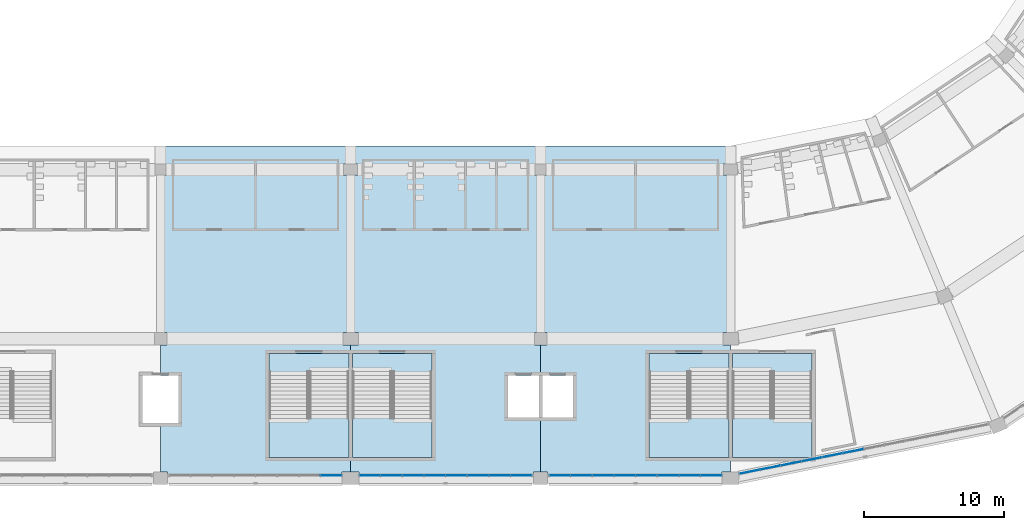
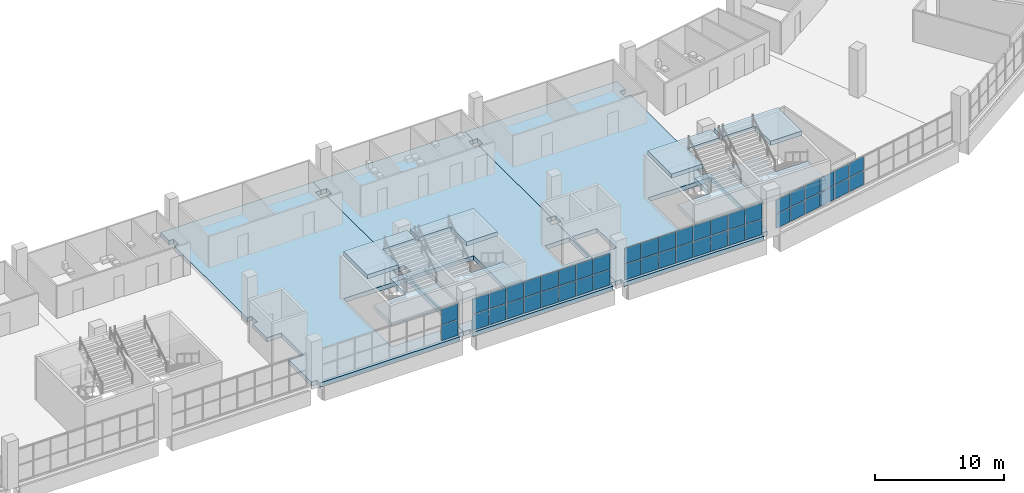
# One storey, part 59 of 199: 46 plates, 11 slabs, 8 elements without a shape of their own.
"""IFC4 building model written with IfcOpenShell, lengths in metres."""

from ifc_helpers import new_model, si_unit, direction, frame, origin, origin_2d, place, context, subcontext, project, spatial, polyline, rectangle, outline, extrude, material, layer, layer_set, type_object, element, aggregate, save


model = new_model("IFC4")

# Units and contexts
model_context = context("Model", 3, precision=1e-05, world=origin(), true_north=direction((0.0, 1.0)))
body_context = subcontext(model_context, "Body", "Model", "MODEL_VIEW")
ifc_project = project(units=[si_unit("LENGTHUNIT", "METRE"), si_unit("AREAUNIT", "SQUARE_METRE"), si_unit("VOLUMEUNIT", "CUBIC_METRE"), si_unit("PLANEANGLEUNIT", "RADIAN"), si_unit("MASSUNIT", "GRAM", prefix="KILO")], contexts=[model_context])

# Site, building, storey
site_placement = place(None, origin())
site = spatial("IfcSite", under=ifc_project, at=site_placement, CompositionType="ELEMENT")
building_placement = place(site_placement, origin())
building = spatial("IfcBuilding", under=site, at=building_placement, Name="Ogive Plaza Stadium", CompositionType="ELEMENT")
storey_placement = place(building_placement, frame((0.0, 0.0, 4.5)))
storey = spatial("IfcBuildingStorey", under=building, at=storey_placement, Name="L01", CompositionType="ELEMENT", Elevation=4.5)

# Curtain wall, plates
ifc_material_1 = material(Name="Bronze-anodised aluminium with laminated glass", Category="aluminium")
curtain_wall_type = type_object("IfcCurtainWallType", Name="Lancet curtain wall", PredefinedType="NOTDEFINED", material=ifc_material_1)
curtain_wall_1_placement = place(storey_placement, origin())
curtain_wall_1 = element("IfcCurtainWall", 1, at=curtain_wall_1_placement, inside=storey, type_object=curtain_wall_type, Name="CURTAIN WALL B11 L01", PredefinedType="NOTDEFINED")
ifc_material_2 = material(Name="Laminated glass", Category="glass")
ifc_layer_1 = layer(ifc_material_2, 0.028076171875)
ifc_layer_set_1 = layer_set([ifc_layer_1], Name="Laminated glass panel 28")
plate_type = type_object("IfcPlateType", Name="Laminated glass panel 28", PredefinedType="CURTAIN_PANEL", material=ifc_layer_set_1)
plate_1_placement = place(storey_placement, frame((42.78564453125, -100.548583984375, 0.0498046875), z_axis=(0.0, 0.0, 1.0), x_axis=(-0.980785280403, -0.195090322016, 0.0)))
plate_1 = element("IfcPlate", 2, at=plate_1_placement, type_object=plate_type, Name="CW-B11-L01 panel 7.1", PredefinedType="CURTAIN_PANEL", context=body_context, shape_type="SweptSolid", body=[
    extrude(rectangle(XDim=1.4638671875, YDim=0.028076171875, at=origin_2d()), origin(), (0.0, 0.0, 1.0), 1.320068359375),
])
plate_2_placement = place(storey_placement, frame((42.78564453125, -100.548583984375, 1.419921875), z_axis=(0.0, 0.0, 1.0), x_axis=(-0.980785280403, -0.195090322016, 0.0)))
plate_2 = element("IfcPlate", 3, at=plate_2_placement, type_object=plate_type, Name="CW-B11-L01 panel 7.2", PredefinedType="CURTAIN_PANEL", context=body_context, shape_type="SweptSolid", body=[
    extrude(rectangle(XDim=1.4638671875, YDim=0.028076171875, at=origin_2d()), origin(), (0.0, 0.0, 1.0), 1.320068359375),
])
plate_3_placement = place(storey_placement, frame((41.301025390625, -100.84375, 0.0498046875), z_axis=(0.0, 0.0, 1.0), x_axis=(-0.980785280403, -0.195090322016, 0.0)))
plate_3 = element("IfcPlate", 4, at=plate_3_placement, type_object=plate_type, Name="CW-B11-L01 panel 8.1", PredefinedType="CURTAIN_PANEL", context=body_context, shape_type="SweptSolid", body=[
    extrude(rectangle(XDim=1.4638671875, YDim=0.028076171875, at=origin_2d()), origin(), (0.0, 0.0, 1.0), 1.320068359375),
])
plate_4_placement = place(storey_placement, frame((41.301025390625, -100.84375, 1.419921875), z_axis=(0.0, 0.0, 1.0), x_axis=(-0.980785280403, -0.195090322016, 0.0)))
plate_4 = element("IfcPlate", 5, at=plate_4_placement, type_object=plate_type, Name="CW-B11-L01 panel 8.2", PredefinedType="CURTAIN_PANEL", context=body_context, shape_type="SweptSolid", body=[
    extrude(rectangle(XDim=1.4638671875, YDim=0.028076171875, at=origin_2d()), origin(), (0.0, 0.0, 1.0), 1.320068359375),
])
plate_5_placement = place(storey_placement, frame((39.816162109375, -101.13916015625, 0.0498046875), z_axis=(0.0, 0.0, 1.0), x_axis=(-0.980785280403, -0.195090322016, 0.0)))
plate_5 = element("IfcPlate", 6, at=plate_5_placement, type_object=plate_type, Name="CW-B11-L01 panel 9.1", PredefinedType="CURTAIN_PANEL", context=body_context, shape_type="SweptSolid", body=[
    extrude(rectangle(XDim=1.4638671875, YDim=0.028076171875, at=origin_2d()), origin(), (0.0, 0.0, 1.0), 1.320068359375),
])
plate_6_placement = place(storey_placement, frame((39.816162109375, -101.13916015625, 1.419921875), z_axis=(0.0, 0.0, 1.0), x_axis=(-0.980785280403, -0.195090322016, 0.0)))
plate_6 = element("IfcPlate", 7, at=plate_6_placement, type_object=plate_type, Name="CW-B11-L01 panel 9.2", PredefinedType="CURTAIN_PANEL", context=body_context, shape_type="SweptSolid", body=[
    extrude(rectangle(XDim=1.4638671875, YDim=0.028076171875, at=origin_2d()), origin(), (0.0, 0.0, 1.0), 1.320068359375),
])
plate_7_placement = place(storey_placement, frame((38.331298828125, -101.4345703125, 0.0498046875), z_axis=(0.0, 0.0, 1.0), x_axis=(-0.980785280403, -0.195090322016, 0.0)))
plate_7 = element("IfcPlate", 8, at=plate_7_placement, type_object=plate_type, Name="CW-B11-L01 panel 10.1", PredefinedType="CURTAIN_PANEL", context=body_context, shape_type="SweptSolid", body=[
    extrude(rectangle(XDim=1.4638671875, YDim=0.028076171875, at=origin_2d()), origin(), (0.0, 0.0, 1.0), 1.320068359375),
])
plate_8_placement = place(storey_placement, frame((38.331298828125, -101.4345703125, 1.419921875), z_axis=(0.0, 0.0, 1.0), x_axis=(-0.980785280403, -0.195090322016, 0.0)))
plate_8 = element("IfcPlate", 9, at=plate_8_placement, type_object=plate_type, Name="CW-B11-L01 panel 10.2", PredefinedType="CURTAIN_PANEL", context=body_context, shape_type="SweptSolid", body=[
    extrude(rectangle(XDim=1.4638671875, YDim=0.028076171875, at=origin_2d()), origin(), (0.0, 0.0, 1.0), 1.320068359375),
])
plate_9_placement = place(storey_placement, frame((36.8466796875, -101.729736328125, 0.0498046875), z_axis=(0.0, 0.0, 1.0), x_axis=(-0.980785280403, -0.195090322016, 0.0)))
plate_9 = element("IfcPlate", 10, at=plate_9_placement, type_object=plate_type, Name="CW-B11-L01 panel 11.1", PredefinedType="CURTAIN_PANEL", context=body_context, shape_type="SweptSolid", body=[
    extrude(rectangle(XDim=1.4638671875, YDim=0.028076171875, at=origin_2d()), origin(), (0.0, 0.0, 1.0), 1.320068359375),
])
plate_10_placement = place(storey_placement, frame((36.8466796875, -101.729736328125, 1.419921875), z_axis=(0.0, 0.0, 1.0), x_axis=(-0.980785280403, -0.195090322016, 0.0)))
plate_10 = element("IfcPlate", 11, at=plate_10_placement, type_object=plate_type, Name="CW-B11-L01 panel 11.2", PredefinedType="CURTAIN_PANEL", context=body_context, shape_type="SweptSolid", body=[
    extrude(rectangle(XDim=1.4638671875, YDim=0.028076171875, at=origin_2d()), origin(), (0.0, 0.0, 1.0), 1.320068359375),
])
plate_11_placement = place(storey_placement, frame((35.374267578125, -102.022705078125, 0.0498046875), z_axis=(0.0, 0.0, 1.0), x_axis=(-0.980785280403, -0.195090322016, 0.0)))
plate_11 = element("IfcPlate", 12, at=plate_11_placement, type_object=plate_type, Name="CW-B11-L01 panel 12.1", PredefinedType="CURTAIN_PANEL", context=body_context, shape_type="SweptSolid", body=[
    extrude(rectangle(XDim=1.43896484375, YDim=0.028076171875, at=origin_2d()), origin(), (0.0, 0.0, 1.0), 1.320068359375),
])
plate_12_placement = place(storey_placement, frame((35.374267578125, -102.022705078125, 1.419921875), z_axis=(0.0, 0.0, 1.0), x_axis=(-0.980785280403, -0.195090322016, 0.0)))
plate_12 = element("IfcPlate", 13, at=plate_12_placement, type_object=plate_type, Name="CW-B11-L01 panel 12.2", PredefinedType="CURTAIN_PANEL", context=body_context, shape_type="SweptSolid", body=[
    extrude(rectangle(XDim=1.43896484375, YDim=0.028076171875, at=origin_2d()), origin(), (0.0, 0.0, 1.0), 1.320068359375),
])
aggregate(curtain_wall_1, [plate_1, plate_2, plate_3, plate_4, plate_5, plate_6, plate_7, plate_8, plate_9, plate_10, plate_11, plate_12])

curtain_wall_2_placement = place(storey_placement, origin())
curtain_wall_2 = element("IfcCurtainWall", 14, at=curtain_wall_2_placement, inside=storey, type_object=curtain_wall_type, Name="CURTAIN WALL B12 L01", PredefinedType="NOTDEFINED")
plate_13_placement = place(storey_placement, frame((32.612548828125, -102.300048828125, 0.0498046875), z_axis=(0.0, 0.0, 1.0), x_axis=(-1.0, 0.0, 0.0)))
plate_13 = element("IfcPlate", 15, at=plate_13_placement, type_object=plate_type, Name="CW-B12-L01 panel 1.1", PredefinedType="CURTAIN_PANEL", context=body_context, shape_type="SweptSolid", body=[
    extrude(rectangle(XDim=1.47509765625, YDim=0.028076171875, at=origin_2d()), origin(), (0.0, 0.0, 1.0), 1.469970703125),
])
plate_14_placement = place(storey_placement, frame((32.612548828125, -102.300048828125, 1.56982421875), z_axis=(0.0, 0.0, 1.0), x_axis=(-1.0, 0.0, 0.0)))
plate_14 = element("IfcPlate", 16, at=plate_14_placement, type_object=plate_type, Name="CW-B12-L01 panel 1.2", PredefinedType="CURTAIN_PANEL", context=body_context, shape_type="SweptSolid", body=[
    extrude(rectangle(XDim=1.47509765625, YDim=0.028076171875, at=origin_2d()), origin(), (0.0, 0.0, 1.0), 1.469970703125),
])
plate_15_placement = place(storey_placement, frame((31.074951171875, -102.300048828125, 0.0498046875), z_axis=(0.0, 0.0, 1.0), x_axis=(-1.0, 0.0, 0.0)))
plate_15 = element("IfcPlate", 17, at=plate_15_placement, type_object=plate_type, Name="CW-B12-L01 panel 2.1", PredefinedType="CURTAIN_PANEL", context=body_context, shape_type="SweptSolid", body=[
    extrude(rectangle(XDim=1.5, YDim=0.028076171875, at=origin_2d()), origin(), (0.0, 0.0, 1.0), 1.469970703125),
])
plate_16_placement = place(storey_placement, frame((31.074951171875, -102.300048828125, 1.56982421875), z_axis=(0.0, 0.0, 1.0), x_axis=(-1.0, 0.0, 0.0)))
plate_16 = element("IfcPlate", 18, at=plate_16_placement, type_object=plate_type, Name="CW-B12-L01 panel 2.2", PredefinedType="CURTAIN_PANEL", context=body_context, shape_type="SweptSolid", body=[
    extrude(rectangle(XDim=1.5, YDim=0.028076171875, at=origin_2d()), origin(), (0.0, 0.0, 1.0), 1.469970703125),
])
plate_17_placement = place(storey_placement, frame((29.52490234375, -102.300048828125, 0.0498046875), z_axis=(0.0, 0.0, 1.0), x_axis=(-1.0, 0.0, 0.0)))
plate_17 = element("IfcPlate", 19, at=plate_17_placement, type_object=plate_type, Name="CW-B12-L01 panel 3.1", PredefinedType="CURTAIN_PANEL", context=body_context, shape_type="SweptSolid", body=[
    extrude(rectangle(XDim=1.5, YDim=0.028076171875, at=origin_2d()), origin(), (0.0, 0.0, 1.0), 1.469970703125),
])
plate_18_placement = place(storey_placement, frame((29.52490234375, -102.300048828125, 1.56982421875), z_axis=(0.0, 0.0, 1.0), x_axis=(-1.0, 0.0, 0.0)))
plate_18 = element("IfcPlate", 20, at=plate_18_placement, type_object=plate_type, Name="CW-B12-L01 panel 3.2", PredefinedType="CURTAIN_PANEL", context=body_context, shape_type="SweptSolid", body=[
    extrude(rectangle(XDim=1.5, YDim=0.028076171875, at=origin_2d()), origin(), (0.0, 0.0, 1.0), 1.469970703125),
])
plate_19_placement = place(storey_placement, frame((27.97509765625, -102.300048828125, 0.0498046875), z_axis=(0.0, 0.0, 1.0), x_axis=(-1.0, 0.0, 0.0)))
plate_19 = element("IfcPlate", 21, at=plate_19_placement, type_object=plate_type, Name="CW-B12-L01 panel 4.1", PredefinedType="CURTAIN_PANEL", context=body_context, shape_type="SweptSolid", body=[
    extrude(rectangle(XDim=1.5, YDim=0.028076171875, at=origin_2d()), origin(), (0.0, 0.0, 1.0), 1.469970703125),
])
plate_20_placement = place(storey_placement, frame((27.97509765625, -102.300048828125, 1.56982421875), z_axis=(0.0, 0.0, 1.0), x_axis=(-1.0, 0.0, 0.0)))
plate_20 = element("IfcPlate", 22, at=plate_20_placement, type_object=plate_type, Name="CW-B12-L01 panel 4.2", PredefinedType="CURTAIN_PANEL", context=body_context, shape_type="SweptSolid", body=[
    extrude(rectangle(XDim=1.5, YDim=0.028076171875, at=origin_2d()), origin(), (0.0, 0.0, 1.0), 1.469970703125),
])
plate_21_placement = place(storey_placement, frame((26.425048828125, -102.300048828125, 0.0498046875), z_axis=(0.0, 0.0, 1.0), x_axis=(-1.0, 0.0, 0.0)))
plate_21 = element("IfcPlate", 23, at=plate_21_placement, type_object=plate_type, Name="CW-B12-L01 panel 5.1", PredefinedType="CURTAIN_PANEL", context=body_context, shape_type="SweptSolid", body=[
    extrude(rectangle(XDim=1.5, YDim=0.028076171875, at=origin_2d()), origin(), (0.0, 0.0, 1.0), 1.469970703125),
])
plate_22_placement = place(storey_placement, frame((26.425048828125, -102.300048828125, 1.56982421875), z_axis=(0.0, 0.0, 1.0), x_axis=(-1.0, 0.0, 0.0)))
plate_22 = element("IfcPlate", 24, at=plate_22_placement, type_object=plate_type, Name="CW-B12-L01 panel 5.2", PredefinedType="CURTAIN_PANEL", context=body_context, shape_type="SweptSolid", body=[
    extrude(rectangle(XDim=1.5, YDim=0.028076171875, at=origin_2d()), origin(), (0.0, 0.0, 1.0), 1.469970703125),
])
plate_23_placement = place(storey_placement, frame((24.875, -102.300048828125, 0.0498046875), z_axis=(0.0, 0.0, 1.0), x_axis=(-1.0, 0.0, 0.0)))
plate_23 = element("IfcPlate", 25, at=plate_23_placement, type_object=plate_type, Name="CW-B12-L01 panel 6.1", PredefinedType="CURTAIN_PANEL", context=body_context, shape_type="SweptSolid", body=[
    extrude(rectangle(XDim=1.5, YDim=0.028076171875, at=origin_2d()), origin(), (0.0, 0.0, 1.0), 1.469970703125),
])
plate_24_placement = place(storey_placement, frame((24.875, -102.300048828125, 1.56982421875), z_axis=(0.0, 0.0, 1.0), x_axis=(-1.0, 0.0, 0.0)))
plate_24 = element("IfcPlate", 26, at=plate_24_placement, type_object=plate_type, Name="CW-B12-L01 panel 6.2", PredefinedType="CURTAIN_PANEL", context=body_context, shape_type="SweptSolid", body=[
    extrude(rectangle(XDim=1.5, YDim=0.028076171875, at=origin_2d()), origin(), (0.0, 0.0, 1.0), 1.469970703125),
])
plate_25_placement = place(storey_placement, frame((23.324951171875, -102.300048828125, 0.0498046875), z_axis=(0.0, 0.0, 1.0), x_axis=(-1.0, 0.0, 0.0)))
plate_25 = element("IfcPlate", 27, at=plate_25_placement, type_object=plate_type, Name="CW-B12-L01 panel 7.1", PredefinedType="CURTAIN_PANEL", context=body_context, shape_type="SweptSolid", body=[
    extrude(rectangle(XDim=1.5, YDim=0.028076171875, at=origin_2d()), origin(), (0.0, 0.0, 1.0), 1.469970703125),
])
plate_26_placement = place(storey_placement, frame((23.324951171875, -102.300048828125, 1.56982421875), z_axis=(0.0, 0.0, 1.0), x_axis=(-1.0, 0.0, 0.0)))
plate_26 = element("IfcPlate", 28, at=plate_26_placement, type_object=plate_type, Name="CW-B12-L01 panel 7.2", PredefinedType="CURTAIN_PANEL", context=body_context, shape_type="SweptSolid", body=[
    extrude(rectangle(XDim=1.5, YDim=0.028076171875, at=origin_2d()), origin(), (0.0, 0.0, 1.0), 1.469970703125),
])
plate_27_placement = place(storey_placement, frame((21.78759765625, -102.300048828125, 0.0498046875), z_axis=(0.0, 0.0, 1.0), x_axis=(-1.0, 0.0, 0.0)))
plate_27 = element("IfcPlate", 29, at=plate_27_placement, type_object=plate_type, Name="CW-B12-L01 panel 8.1", PredefinedType="CURTAIN_PANEL", context=body_context, shape_type="SweptSolid", body=[
    extrude(rectangle(XDim=1.47509765625, YDim=0.028076171875, at=origin_2d()), origin(), (0.0, 0.0, 1.0), 1.469970703125),
])
plate_28_placement = place(storey_placement, frame((21.78759765625, -102.300048828125, 1.56982421875), z_axis=(0.0, 0.0, 1.0), x_axis=(-1.0, 0.0, 0.0)))
plate_28 = element("IfcPlate", 30, at=plate_28_placement, type_object=plate_type, Name="CW-B12-L01 panel 8.2", PredefinedType="CURTAIN_PANEL", context=body_context, shape_type="SweptSolid", body=[
    extrude(rectangle(XDim=1.47509765625, YDim=0.028076171875, at=origin_2d()), origin(), (0.0, 0.0, 1.0), 1.469970703125),
])
aggregate(curtain_wall_2, [plate_13, plate_14, plate_15, plate_16, plate_17, plate_18, plate_19, plate_20, plate_21, plate_22, plate_23, plate_24, plate_25, plate_26, plate_27, plate_28])

curtain_wall_3_placement = place(storey_placement, origin())
curtain_wall_3 = element("IfcCurtainWall", 31, at=curtain_wall_3_placement, inside=storey, type_object=curtain_wall_type, Name="CURTAIN WALL B13 L01", PredefinedType="NOTDEFINED")
plate_29_placement = place(storey_placement, frame((19.012451171875, -102.300048828125, 0.0498046875), z_axis=(0.0, 0.0, 1.0), x_axis=(-1.0, 0.0, 0.0)))
plate_29 = element("IfcPlate", 32, at=plate_29_placement, type_object=plate_type, Name="CW-B13-L01 panel 1.1", PredefinedType="CURTAIN_PANEL", context=body_context, shape_type="SweptSolid", body=[
    extrude(rectangle(XDim=1.47509765625, YDim=0.028076171875, at=origin_2d()), origin(), (0.0, 0.0, 1.0), 1.469970703125),
])
plate_30_placement = place(storey_placement, frame((19.012451171875, -102.300048828125, 1.56982421875), z_axis=(0.0, 0.0, 1.0), x_axis=(-1.0, 0.0, 0.0)))
plate_30 = element("IfcPlate", 33, at=plate_30_placement, type_object=plate_type, Name="CW-B13-L01 panel 1.2", PredefinedType="CURTAIN_PANEL", context=body_context, shape_type="SweptSolid", body=[
    extrude(rectangle(XDim=1.47509765625, YDim=0.028076171875, at=origin_2d()), origin(), (0.0, 0.0, 1.0), 1.469970703125),
])
plate_31_placement = place(storey_placement, frame((17.47509765625, -102.300048828125, 0.0498046875), z_axis=(0.0, 0.0, 1.0), x_axis=(-1.0, 0.0, 0.0)))
plate_31 = element("IfcPlate", 34, at=plate_31_placement, type_object=plate_type, Name="CW-B13-L01 panel 2.1", PredefinedType="CURTAIN_PANEL", context=body_context, shape_type="SweptSolid", body=[
    extrude(rectangle(XDim=1.5, YDim=0.028076171875, at=origin_2d()), origin(), (0.0, 0.0, 1.0), 1.469970703125),
])
plate_32_placement = place(storey_placement, frame((17.47509765625, -102.300048828125, 1.56982421875), z_axis=(0.0, 0.0, 1.0), x_axis=(-1.0, 0.0, 0.0)))
plate_32 = element("IfcPlate", 35, at=plate_32_placement, type_object=plate_type, Name="CW-B13-L01 panel 2.2", PredefinedType="CURTAIN_PANEL", context=body_context, shape_type="SweptSolid", body=[
    extrude(rectangle(XDim=1.5, YDim=0.028076171875, at=origin_2d()), origin(), (0.0, 0.0, 1.0), 1.469970703125),
])
plate_33_placement = place(storey_placement, frame((15.925048828125, -102.300048828125, 0.0498046875), z_axis=(0.0, 0.0, 1.0), x_axis=(-1.0, 0.0, 0.0)))
plate_33 = element("IfcPlate", 36, at=plate_33_placement, type_object=plate_type, Name="CW-B13-L01 panel 3.1", PredefinedType="CURTAIN_PANEL", context=body_context, shape_type="SweptSolid", body=[
    extrude(rectangle(XDim=1.5, YDim=0.028076171875, at=origin_2d()), origin(), (0.0, 0.0, 1.0), 1.469970703125),
])
plate_34_placement = place(storey_placement, frame((15.925048828125, -102.300048828125, 1.56982421875), z_axis=(0.0, 0.0, 1.0), x_axis=(-1.0, 0.0, 0.0)))
plate_34 = element("IfcPlate", 37, at=plate_34_placement, type_object=plate_type, Name="CW-B13-L01 panel 3.2", PredefinedType="CURTAIN_PANEL", context=body_context, shape_type="SweptSolid", body=[
    extrude(rectangle(XDim=1.5, YDim=0.028076171875, at=origin_2d()), origin(), (0.0, 0.0, 1.0), 1.469970703125),
])
plate_35_placement = place(storey_placement, frame((14.375, -102.300048828125, 0.0498046875), z_axis=(0.0, 0.0, 1.0), x_axis=(-1.0, 0.0, 0.0)))
plate_35 = element("IfcPlate", 38, at=plate_35_placement, type_object=plate_type, Name="CW-B13-L01 panel 4.1", PredefinedType="CURTAIN_PANEL", context=body_context, shape_type="SweptSolid", body=[
    extrude(rectangle(XDim=1.5, YDim=0.028076171875, at=origin_2d()), origin(), (0.0, 0.0, 1.0), 1.469970703125),
])
plate_36_placement = place(storey_placement, frame((14.375, -102.300048828125, 1.56982421875), z_axis=(0.0, 0.0, 1.0), x_axis=(-1.0, 0.0, 0.0)))
plate_36 = element("IfcPlate", 39, at=plate_36_placement, type_object=plate_type, Name="CW-B13-L01 panel 4.2", PredefinedType="CURTAIN_PANEL", context=body_context, shape_type="SweptSolid", body=[
    extrude(rectangle(XDim=1.5, YDim=0.028076171875, at=origin_2d()), origin(), (0.0, 0.0, 1.0), 1.469970703125),
])
plate_37_placement = place(storey_placement, frame((12.824951171875, -102.300048828125, 0.0498046875), z_axis=(0.0, 0.0, 1.0), x_axis=(-1.0, 0.0, 0.0)))
plate_37 = element("IfcPlate", 40, at=plate_37_placement, type_object=plate_type, Name="CW-B13-L01 panel 5.1", PredefinedType="CURTAIN_PANEL", context=body_context, shape_type="SweptSolid", body=[
    extrude(rectangle(XDim=1.5, YDim=0.028076171875, at=origin_2d()), origin(), (0.0, 0.0, 1.0), 1.469970703125),
])
plate_38_placement = place(storey_placement, frame((12.824951171875, -102.300048828125, 1.56982421875), z_axis=(0.0, 0.0, 1.0), x_axis=(-1.0, 0.0, 0.0)))
plate_38 = element("IfcPlate", 41, at=plate_38_placement, type_object=plate_type, Name="CW-B13-L01 panel 5.2", PredefinedType="CURTAIN_PANEL", context=body_context, shape_type="SweptSolid", body=[
    extrude(rectangle(XDim=1.5, YDim=0.028076171875, at=origin_2d()), origin(), (0.0, 0.0, 1.0), 1.469970703125),
])
plate_39_placement = place(storey_placement, frame((11.27490234375, -102.300048828125, 0.0498046875), z_axis=(0.0, 0.0, 1.0), x_axis=(-1.0, 0.0, 0.0)))
plate_39 = element("IfcPlate", 42, at=plate_39_placement, type_object=plate_type, Name="CW-B13-L01 panel 6.1", PredefinedType="CURTAIN_PANEL", context=body_context, shape_type="SweptSolid", body=[
    extrude(rectangle(XDim=1.5, YDim=0.028076171875, at=origin_2d()), origin(), (0.0, 0.0, 1.0), 1.469970703125),
])
plate_40_placement = place(storey_placement, frame((11.27490234375, -102.300048828125, 1.56982421875), z_axis=(0.0, 0.0, 1.0), x_axis=(-1.0, 0.0, 0.0)))
plate_40 = element("IfcPlate", 43, at=plate_40_placement, type_object=plate_type, Name="CW-B13-L01 panel 6.2", PredefinedType="CURTAIN_PANEL", context=body_context, shape_type="SweptSolid", body=[
    extrude(rectangle(XDim=1.5, YDim=0.028076171875, at=origin_2d()), origin(), (0.0, 0.0, 1.0), 1.469970703125),
])
plate_41_placement = place(storey_placement, frame((9.72509765625, -102.300048828125, 0.0498046875), z_axis=(0.0, 0.0, 1.0), x_axis=(-1.0, 0.0, 0.0)))
plate_41 = element("IfcPlate", 44, at=plate_41_placement, type_object=plate_type, Name="CW-B13-L01 panel 7.1", PredefinedType="CURTAIN_PANEL", context=body_context, shape_type="SweptSolid", body=[
    extrude(rectangle(XDim=1.5, YDim=0.028076171875, at=origin_2d()), origin(), (0.0, 0.0, 1.0), 1.469970703125),
])
plate_42_placement = place(storey_placement, frame((9.72509765625, -102.300048828125, 1.56982421875), z_axis=(0.0, 0.0, 1.0), x_axis=(-1.0, 0.0, 0.0)))
plate_42 = element("IfcPlate", 45, at=plate_42_placement, type_object=plate_type, Name="CW-B13-L01 panel 7.2", PredefinedType="CURTAIN_PANEL", context=body_context, shape_type="SweptSolid", body=[
    extrude(rectangle(XDim=1.5, YDim=0.028076171875, at=origin_2d()), origin(), (0.0, 0.0, 1.0), 1.469970703125),
])
plate_43_placement = place(storey_placement, frame((8.1875, -102.300048828125, 0.0498046875), z_axis=(0.0, 0.0, 1.0), x_axis=(-1.0, 0.0, 0.0)))
plate_43 = element("IfcPlate", 46, at=plate_43_placement, type_object=plate_type, Name="CW-B13-L01 panel 8.1", PredefinedType="CURTAIN_PANEL", context=body_context, shape_type="SweptSolid", body=[
    extrude(rectangle(XDim=1.47509765625, YDim=0.028076171875, at=origin_2d()), origin(), (0.0, 0.0, 1.0), 1.469970703125),
])
plate_44_placement = place(storey_placement, frame((8.1875, -102.300048828125, 1.56982421875), z_axis=(0.0, 0.0, 1.0), x_axis=(-1.0, 0.0, 0.0)))
plate_44 = element("IfcPlate", 47, at=plate_44_placement, type_object=plate_type, Name="CW-B13-L01 panel 8.2", PredefinedType="CURTAIN_PANEL", context=body_context, shape_type="SweptSolid", body=[
    extrude(rectangle(XDim=1.47509765625, YDim=0.028076171875, at=origin_2d()), origin(), (0.0, 0.0, 1.0), 1.469970703125),
])
aggregate(curtain_wall_3, [plate_29, plate_30, plate_31, plate_32, plate_33, plate_34, plate_35, plate_36, plate_37, plate_38, plate_39, plate_40, plate_41, plate_42, plate_43, plate_44])

curtain_wall_4_placement = place(storey_placement, origin())
curtain_wall_4 = element("IfcCurtainWall", 48, at=curtain_wall_4_placement, inside=storey, type_object=curtain_wall_type, Name="CURTAIN WALL B14 L01", PredefinedType="NOTDEFINED")
plate_45_placement = place(storey_placement, frame((5.41259765625, -102.300048828125, 0.0498046875), z_axis=(0.0, 0.0, 1.0), x_axis=(-1.0, 0.0, 0.0)))
plate_45 = element("IfcPlate", 49, at=plate_45_placement, type_object=plate_type, Name="CW-B14-L01 panel 1.1", PredefinedType="CURTAIN_PANEL", context=body_context, shape_type="SweptSolid", body=[
    extrude(rectangle(XDim=1.47509765625, YDim=0.028076171875, at=origin_2d()), origin(), (0.0, 0.0, 1.0), 1.469970703125),
])
plate_46_placement = place(storey_placement, frame((5.41259765625, -102.300048828125, 1.56982421875), z_axis=(0.0, 0.0, 1.0), x_axis=(-1.0, 0.0, 0.0)))
plate_46 = element("IfcPlate", 50, at=plate_46_placement, type_object=plate_type, Name="CW-B14-L01 panel 1.2", PredefinedType="CURTAIN_PANEL", context=body_context, shape_type="SweptSolid", body=[
    extrude(rectangle(XDim=1.47509765625, YDim=0.028076171875, at=origin_2d()), origin(), (0.0, 0.0, 1.0), 1.469970703125),
])
aggregate(curtain_wall_4, [plate_45, plate_46])

# Slabs
ifc_material_3 = material(Name="Concrete C40/50", Category="concrete")
ifc_layer_2 = layer(ifc_material_3, 0.409912109375)
ifc_layer_set_2 = layer_set([ifc_layer_2], Name="Concrete C40/50")
slab_type_1 = type_object("IfcSlabType", Name="RC floor slab 410", PredefinedType="FLOOR", material=ifc_layer_set_2)
slab_1_placement = place(storey_placement, frame((0.0, 0.0, -0.409912109375)))
element("IfcSlab", 51, at=slab_1_placement, inside=storey, type_object=slab_type_1, Name="Floor slab L01 B12", PredefinedType="FLOOR", context=body_context, shape_type="SweptSolid", body=[
    extrude(outline(polyline([(20.39990234375, -80.0), (20.800048828125, -80.0), (20.800048828125, -80.800048828125), (20.39990234375, -80.800048828125), (20.39990234375, -92.050048828125), (20.85009765625, -92.050048828125), (20.85009765625, -92.949951171875), (20.39990234375, -92.949951171875), (20.39990234375, -102.050048828125), (20.89990234375, -102.050048828125), (20.89990234375, -102.5), (33.39990234375, -102.5), (33.39990234375, -102.050048828125), (34.0, -102.050048828125), (34.0, -92.949951171875), (33.449951171875, -92.949951171875), (33.449951171875, -92.050048828125), (34.0, -92.050048828125), (34.0, -80.800048828125), (33.5, -80.800048828125), (33.5, -80.0), (34.0, -80.0), (34.0, -78.699951171875), (20.39990234375, -78.699951171875), (20.39990234375, -80.0)]), holes=[polyline([(33.875, -93.550048828125), (28.175048828125, -93.550048828125), (28.175048828125, -101.010009765625), (33.875, -101.010009765625), (33.875, -93.550048828125)]), polyline([(22.72509765625, -95.14990234375), (20.52490234375, -95.14990234375), (20.52490234375, -98.14990234375), (22.72509765625, -98.14990234375), (22.72509765625, -95.14990234375)])]), origin(), (0.0, 0.0, 1.0), 0.409912109375),
])
slab_2_placement = place(storey_placement, frame((0.0, 0.0, -0.409912109375)))
element("IfcSlab", 52, at=slab_2_placement, inside=storey, type_object=slab_type_1, Name="Floor slab L01 B13", PredefinedType="FLOOR", context=body_context, shape_type="SweptSolid", body=[
    extrude(outline(polyline([(6.800048828125, -80.0), (7.300048828125, -80.0), (7.300048828125, -80.800048828125), (6.800048828125, -80.800048828125), (6.800048828125, -92.050048828125), (7.35009765625, -92.050048828125), (7.35009765625, -92.949951171875), (6.800048828125, -92.949951171875), (6.800048828125, -102.050048828125), (7.39990234375, -102.050048828125), (7.39990234375, -102.5), (19.89990234375, -102.5), (19.89990234375, -102.050048828125), (20.39990234375, -102.050048828125), (20.39990234375, -92.949951171875), (19.949951171875, -92.949951171875), (19.949951171875, -92.050048828125), (20.39990234375, -92.050048828125), (20.39990234375, -80.800048828125), (20.0, -80.800048828125), (20.0, -80.0), (20.39990234375, -80.0), (20.39990234375, -78.699951171875), (6.800048828125, -78.699951171875), (6.800048828125, -80.0)]), holes=[polyline([(12.625, -93.550048828125), (6.925048828125, -93.550048828125), (6.925048828125, -101.010009765625), (12.625, -101.010009765625), (12.625, -93.550048828125)]), polyline([(20.27490234375, -95.14990234375), (18.074951171875, -95.14990234375), (18.074951171875, -98.14990234375), (20.27490234375, -98.14990234375), (20.27490234375, -95.14990234375)])]), origin(), (0.0, 0.0, 1.0), 0.409912109375),
])
slab_3_placement = place(storey_placement, frame((0.0, 0.0, -0.409912109375)))
element("IfcSlab", 53, at=slab_3_placement, inside=storey, type_object=slab_type_1, Name="Floor slab L01 B14", PredefinedType="FLOOR", context=body_context, shape_type="SweptSolid", body=[
    extrude(outline(polyline([(-6.800048828125, -80.0), (-6.39990234375, -80.0), (-6.39990234375, -80.800048828125), (-6.800048828125, -80.800048828125), (-6.800048828125, -92.050048828125), (-6.35009765625, -92.050048828125), (-6.35009765625, -92.949951171875), (-6.800048828125, -92.949951171875), (-6.800048828125, -95.14990234375), (-5.5, -95.14990234375), (-5.5, -98.550048828125), (-6.800048828125, -98.550048828125), (-6.800048828125, -102.050048828125), (-6.300048828125, -102.050048828125), (-6.300048828125, -102.5), (6.199951171875, -102.5), (6.199951171875, -102.050048828125), (6.800048828125, -102.050048828125), (6.800048828125, -92.949951171875), (6.25, -92.949951171875), (6.25, -92.050048828125), (6.800048828125, -92.050048828125), (6.800048828125, -80.800048828125), (6.300048828125, -80.800048828125), (6.300048828125, -80.0), (6.800048828125, -80.0), (6.800048828125, -78.699951171875), (-6.800048828125, -78.699951171875), (-6.800048828125, -80.0)]), holes=[polyline([(6.675048828125, -93.550048828125), (0.97509765625, -93.550048828125), (0.97509765625, -101.010009765625), (6.675048828125, -101.010009765625), (6.675048828125, -93.550048828125)])]), origin(), (0.0, 0.0, 1.0), 0.409912109375),
])

# Stair, slabs
ifc_material_4 = material(Name="Concrete C40/50", Category="concrete")
stair_type = type_object("IfcStairType", Name="Exit stair", PredefinedType="STRAIGHT_RUN_STAIR", material=ifc_material_4)
stair_1_placement = place(storey_placement, origin())
stair_1 = element("IfcStair", 54, at=stair_1_placement, inside=storey, type_object=stair_type, Name="Exit stair ST12A L01 to L02", PredefinedType="STRAIGHT_RUN_STAIR")
ifc_material_5 = material(Name="Concrete C40/50", Category="concrete")
ifc_layer_3 = layer(ifc_material_5, 0.39990234375)
ifc_layer_set_3 = layer_set([ifc_layer_3], Name="Concrete C40/50")
slab_type_2 = type_object("IfcSlabType", Name="Stair landing", PredefinedType="LANDING", material=ifc_layer_set_3)
slab_4_placement = place(storey_placement, frame((0.0, 0.0, 1.85009765625)))
slab_4 = element("IfcSlab", 55, at=slab_4_placement, type_object=slab_type_2, Name="ST12A landing 1", PredefinedType="LANDING", context=body_context, shape_type="SweptSolid", body=[
    extrude(outline(polyline([(33.875, -101.010009765625), (28.175048828125, -101.010009765625), (28.175048828125, -98.2099609375), (31.074951171875, -98.2099609375), (31.074951171875, -95.81005859375), (33.875, -95.81005859375), (33.875, -98.2099609375), (33.875, -101.010009765625)])), origin(), (0.0, 0.0, 1.0), 0.39990234375),
])
slab_5_placement = place(storey_placement, frame((0.0, 0.0, 4.10009765625)))
slab_5 = element("IfcSlab", 56, at=slab_5_placement, type_object=slab_type_2, Name="ST12A landing 2", PredefinedType="LANDING", context=body_context, shape_type="SweptSolid", body=[
    extrude(outline(polyline([(30.97509765625, -97.25), (28.175048828125, -97.25), (28.175048828125, -94.85009765625), (28.175048828125, -93.550048828125), (33.875, -93.550048828125), (33.875, -94.85009765625), (30.97509765625, -94.85009765625), (30.97509765625, -97.25)])), origin(), (0.0, 0.0, 1.0), 0.39990234375),
])
aggregate(stair_1, [slab_4, slab_5])

stair_2_placement = place(storey_placement, origin())
stair_2 = element("IfcStair", 57, at=stair_2_placement, inside=storey, type_object=stair_type, Name="Exit stair ST12B L01 to L02", PredefinedType="STRAIGHT_RUN_STAIR")
slab_6_placement = place(storey_placement, frame((0.0, 0.0, 1.85009765625)))
slab_6 = element("IfcSlab", 58, at=slab_6_placement, type_object=slab_type_2, Name="ST12B landing 1", PredefinedType="LANDING", context=body_context, shape_type="SweptSolid", body=[
    extrude(outline(polyline([(34.125, -95.81005859375), (36.925048828125, -95.81005859375), (36.925048828125, -98.2099609375), (39.824951171875, -98.2099609375), (39.824951171875, -101.010009765625), (34.125, -101.010009765625), (34.125, -98.2099609375), (34.125, -95.81005859375)])), origin(), (0.0, 0.0, 1.0), 0.39990234375),
])
slab_7_placement = place(storey_placement, frame((0.0, 0.0, 4.10009765625)))
slab_7 = element("IfcSlab", 59, at=slab_7_placement, type_object=slab_type_2, Name="ST12B landing 2", PredefinedType="LANDING", context=body_context, shape_type="SweptSolid", body=[
    extrude(outline(polyline([(34.125, -94.85009765625), (34.125, -93.550048828125), (39.824951171875, -93.550048828125), (39.824951171875, -94.85009765625), (39.824951171875, -97.25), (37.02490234375, -97.25), (37.02490234375, -94.85009765625), (34.125, -94.85009765625)])), origin(), (0.0, 0.0, 1.0), 0.39990234375),
])
aggregate(stair_2, [slab_6, slab_7])

stair_3_placement = place(storey_placement, origin())
stair_3 = element("IfcStair", 60, at=stair_3_placement, inside=storey, type_object=stair_type, Name="Exit stair ST14A L01 to L02", PredefinedType="STRAIGHT_RUN_STAIR")
slab_8_placement = place(storey_placement, frame((0.0, 0.0, 1.85009765625)))
slab_8 = element("IfcSlab", 61, at=slab_8_placement, type_object=slab_type_2, Name="ST14A landing 1", PredefinedType="LANDING", context=body_context, shape_type="SweptSolid", body=[
    extrude(outline(polyline([(6.675048828125, -101.010009765625), (0.97509765625, -101.010009765625), (0.97509765625, -98.2099609375), (3.875, -98.2099609375), (3.875, -95.81005859375), (6.675048828125, -95.81005859375), (6.675048828125, -98.2099609375), (6.675048828125, -101.010009765625)])), origin(), (0.0, 0.0, 1.0), 0.39990234375),
])
slab_9_placement = place(storey_placement, frame((0.0, 0.0, 4.10009765625)))
slab_9 = element("IfcSlab", 62, at=slab_9_placement, type_object=slab_type_2, Name="ST14A landing 2", PredefinedType="LANDING", context=body_context, shape_type="SweptSolid", body=[
    extrude(outline(polyline([(3.77490234375, -97.25), (0.97509765625, -97.25), (0.97509765625, -94.85009765625), (0.97509765625, -93.550048828125), (6.675048828125, -93.550048828125), (6.675048828125, -94.85009765625), (3.77490234375, -94.85009765625), (3.77490234375, -97.25)])), origin(), (0.0, 0.0, 1.0), 0.39990234375),
])
aggregate(stair_3, [slab_8, slab_9])

stair_4_placement = place(storey_placement, origin())
stair_4 = element("IfcStair", 63, at=stair_4_placement, inside=storey, type_object=stair_type, Name="Exit stair ST14B L01 to L02", PredefinedType="STRAIGHT_RUN_STAIR")
slab_10_placement = place(storey_placement, frame((0.0, 0.0, 1.85009765625)))
slab_10 = element("IfcSlab", 64, at=slab_10_placement, type_object=slab_type_2, Name="ST14B landing 1", PredefinedType="LANDING", context=body_context, shape_type="SweptSolid", body=[
    extrude(outline(polyline([(6.925048828125, -95.81005859375), (9.72509765625, -95.81005859375), (9.72509765625, -98.2099609375), (12.625, -98.2099609375), (12.625, -101.010009765625), (6.925048828125, -101.010009765625), (6.925048828125, -98.2099609375), (6.925048828125, -95.81005859375)])), origin(), (0.0, 0.0, 1.0), 0.39990234375),
])
slab_11_placement = place(storey_placement, frame((0.0, 0.0, 4.10009765625)))
slab_11 = element("IfcSlab", 65, at=slab_11_placement, type_object=slab_type_2, Name="ST14B landing 2", PredefinedType="LANDING", context=body_context, shape_type="SweptSolid", body=[
    extrude(outline(polyline([(6.925048828125, -94.85009765625), (6.925048828125, -93.550048828125), (12.625, -93.550048828125), (12.625, -94.85009765625), (12.625, -97.25), (9.824951171875, -97.25), (9.824951171875, -94.85009765625), (6.925048828125, -94.85009765625)])), origin(), (0.0, 0.0, 1.0), 0.39990234375),
])
aggregate(stair_4, [slab_10, slab_11])

save(model, "model.ifc")
